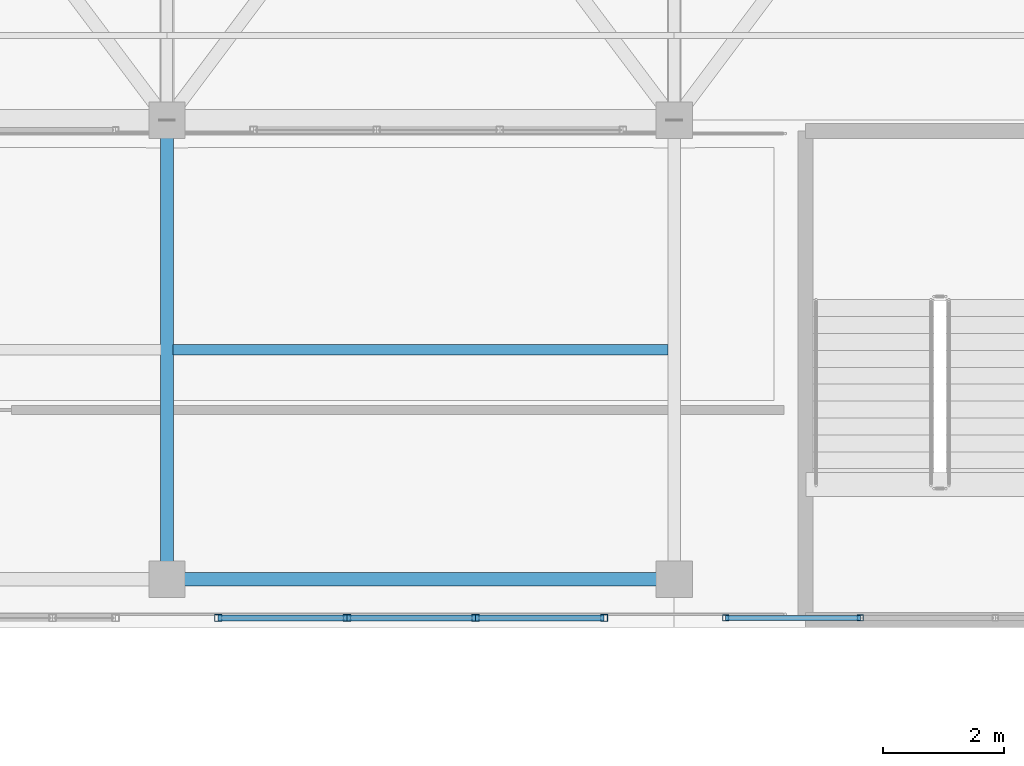
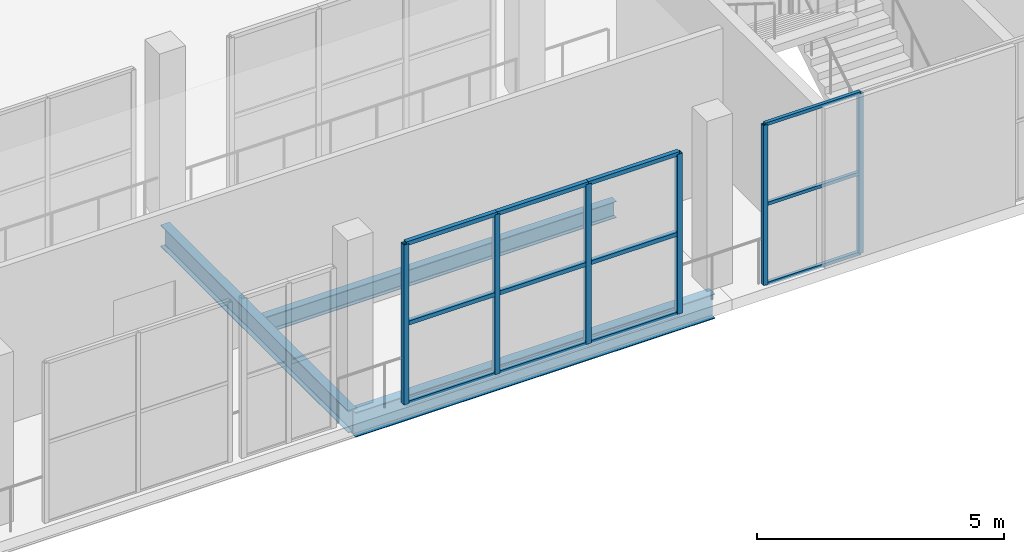
# One storey, part 70 of 217: 18 members, 3 beams, 2 elements without a shape of their own.
"""IFC4 building model written with IfcOpenShell, lengths in metres."""

from ifc_helpers import new_model, si_unit, direction, frame, origin, origin_2d, place, context, subcontext, project, spatial, hollow_rectangle, i_section, extrude, material, material_profile, profile_set, type_object, element, aggregate, save


model = new_model("IFC4")

# Units and contexts
model_context = context("Model", 3, precision=1e-05, world=origin(), true_north=direction((0.0, 1.0)))
body_context = subcontext(model_context, "Body", "Model", "MODEL_VIEW")
ifc_project = project(units=[si_unit("LENGTHUNIT", "METRE"), si_unit("AREAUNIT", "SQUARE_METRE"), si_unit("VOLUMEUNIT", "CUBIC_METRE"), si_unit("PLANEANGLEUNIT", "RADIAN"), si_unit("MASSUNIT", "GRAM", prefix="KILO")], contexts=[model_context])

# Site, building, storey
site_placement = place(None, origin())
site = spatial("IfcSite", under=ifc_project, at=site_placement, CompositionType="ELEMENT")
building_placement = place(site_placement, origin())
building = spatial("IfcBuilding", under=site, at=building_placement, Name="Zuvorla Pavilion Media Centre", CompositionType="ELEMENT")
storey_placement = place(building_placement, frame((0.0, 0.0, 9.60009765625)))
storey = spatial("IfcBuildingStorey", under=building, at=storey_placement, Name="L02", CompositionType="ELEMENT", Elevation=9.60009765625)

# Beams
ifc_material_1 = material(Name="Steel S355", Category="steel")
ifc_material_profile_1 = material_profile(ifc_material_1, i_section(OverallWidth=0.1787109375, OverallDepth=0.409423828125, WebThickness=0.0087890625, FlangeThickness=0.014404296875, FilletRadius=0.01025390625, at=origin_2d()), Name="UB 406x178x67")
ifc_profile_set_1 = profile_set([ifc_material_profile_1], Name="Steel S355")
beam_type_1 = type_object("IfcBeamType", Name="BM-UB406", PredefinedType="JOIST", material=ifc_profile_set_1)
beam_1_placement = place(storey_placement, frame((83.699951171875, 85.800048828125, -0.472900390625), z_axis=(1.0, 0.0, 0.0), x_axis=(0.0, 1.0, 0.0)))
element("IfcBeam", 1, at=beam_1_placement, inside=storey, type_object=beam_type_1, Name="L02 joist J02 1019", PredefinedType="JOIST", context=body_context, shape_type="SweptSolid", body=[
    extrude(i_section(OverallWidth=0.1787109375, OverallDepth=0.409423828125, WebThickness=0.0087890625, FlangeThickness=0.014404296875, FilletRadius=0.01025390625, at=origin_2d()), origin(), (0.0, 0.0, 1.0), 8.199951171875),
])
ifc_material_profile_2 = material_profile(ifc_material_1, i_section(OverallWidth=0.2099609375, OverallDepth=0.53662109375, WebThickness=0.0107421875, FlangeThickness=0.017333984375, FilletRadius=0.0126953125, at=origin_2d()), Name="UB 533x210x101")
ifc_profile_set_2 = profile_set([ifc_material_profile_2], Name="Steel S355")
beam_type_2 = type_object("IfcBeamType", Name="BM-UB533", PredefinedType="BEAM", material=ifc_profile_set_2)
beam_2_placement = place(storey_placement, frame((83.60009765625, 82.0, -0.536376953125), z_axis=(0.0, 1.0, 0.0), x_axis=(-1.0, 0.0, 0.0)))
element("IfcBeam", 2, at=beam_2_placement, inside=storey, type_object=beam_type_2, Name="L02 beam B08 939", PredefinedType="BEAM", context=body_context, shape_type="SweptSolid", body=[
    extrude(i_section(OverallWidth=0.2099609375, OverallDepth=0.53662109375, WebThickness=0.0107421875, FlangeThickness=0.017333984375, FilletRadius=0.0126953125, at=origin_2d()), origin(), (0.0, 0.0, 1.0), 7.60009765625),
])
ifc_material_profile_3 = material_profile(ifc_material_1, i_section(OverallWidth=0.22900390625, OverallDepth=0.6123046875, WebThickness=0.011962890625, FlangeThickness=0.01953125, FilletRadius=0.0126953125, at=origin_2d()), Name="UB 610x229x125")
ifc_profile_set_3 = profile_set([ifc_material_profile_3], Name="Steel S355")
beam_type_3 = type_object("IfcBeamType", Name="BM-UB610", PredefinedType="BEAM", material=ifc_profile_set_3)
beam_3_placement = place(storey_placement, frame((83.60009765625, 82.0, -0.57421875), z_axis=(1.0, 0.0, 0.0), x_axis=(0.0, 1.0, 0.0)))
element("IfcBeam", 3, at=beam_3_placement, inside=storey, type_object=beam_type_3, Name="L02 beam B07 867", PredefinedType="BEAM", context=body_context, shape_type="SweptSolid", body=[
    extrude(i_section(OverallWidth=0.22900390625, OverallDepth=0.6123046875, WebThickness=0.011962890625, FlangeThickness=0.01953125, FilletRadius=0.0126953125, at=origin_2d()), origin(), (0.0, 0.0, 1.0), 8.39990234375),
])

# Curtain wall, members
ifc_material_2 = material(Name="Unitised anodised aluminium and solar glass curtain wall", Category="aluminium")
curtain_wall_type_1 = type_object("IfcCurtainWallType", Name="CW-SYS-49", PredefinedType="USERDEFINED", material=ifc_material_2)
curtain_wall_1_placement = place(storey_placement, origin())
curtain_wall_1 = element("IfcCurtainWall", 4, at=curtain_wall_1_placement, inside=storey, type_object=curtain_wall_type_1, Name="L02 curtain wall CW49 70", ObjectType="CURTAIN WALL", PredefinedType="USERDEFINED")
ifc_material_3 = material(Name="Anodised aluminium 6063-T6", Category="aluminium")
ifc_material_profile_4 = material_profile(ifc_material_3, hollow_rectangle(XDim=0.10009765625, YDim=0.10009765625, WallThickness=0.00439453125, at=origin_2d()), Name="ALU MULL 100x100")
ifc_profile_set_4 = profile_set([ifc_material_profile_4], Name="Anodised aluminium 6063-T6")
member_type_1 = type_object("IfcMemberType", Name="CW-MULL-100", PredefinedType="MULLION", material=ifc_profile_set_4)
member_1_placement = place(storey_placement, frame((95.08349609375, 81.360107421875, 0.0), z_axis=(0.0, 0.0, 1.0), x_axis=(1.0, 0.0, 0.0)))
member_1 = element("IfcMember", 5, at=member_1_placement, type_object=member_type_1, Name="CW49 mullion 3", PredefinedType="MULLION", context=body_context, shape_type="SweptSolid", body=[
    extrude(hollow_rectangle(XDim=0.10009765625, YDim=0.10009765625, WallThickness=0.00439453125, at=origin_2d()), origin(), (0.0, 0.0, 1.0), 3.949951171875),
])
member_2_placement = place(storey_placement, frame((92.850341796875, 81.360107421875, 0.0), z_axis=(0.0, 0.0, 1.0), x_axis=(1.0, 0.0, 0.0)))
member_2 = element("IfcMember", 6, at=member_2_placement, type_object=member_type_1, Name="CW49 mullion 4", PredefinedType="MULLION", context=body_context, shape_type="SweptSolid", body=[
    extrude(hollow_rectangle(XDim=0.10009765625, YDim=0.10009765625, WallThickness=0.00439453125, at=origin_2d()), origin(), (0.0, 0.0, 1.0), 3.949951171875),
])

curtain_wall_type_2 = type_object("IfcCurtainWallType", Name="CW-SYS-46", PredefinedType="USERDEFINED", material=ifc_material_2)
curtain_wall_2_placement = place(storey_placement, origin())
curtain_wall_2 = element("IfcCurtainWall", 7, at=curtain_wall_2_placement, inside=storey, type_object=curtain_wall_type_2, Name="L02 curtain wall CW46 67", ObjectType="CURTAIN WALL", PredefinedType="USERDEFINED")
ifc_material_profile_5 = material_profile(ifc_material_3, hollow_rectangle(XDim=0.1201171875, YDim=0.1201171875, WallThickness=0.0048828125, at=origin_2d()), Name="ALU MULL 120x120")
ifc_profile_set_5 = profile_set([ifc_material_profile_5], Name="Anodised aluminium 6063-T6")
member_type_2 = type_object("IfcMemberType", Name="CW-MULL-120", PredefinedType="MULLION", material=ifc_profile_set_5)
member_3_placement = place(storey_placement, frame((90.840087890625, 81.360107421875, 0.0), z_axis=(0.0, 0.0, 1.0), x_axis=(1.0, 0.0, 0.0)))
member_3 = element("IfcMember", 8, at=member_3_placement, type_object=member_type_2, Name="CW46 mullion 1", PredefinedType="MULLION", context=body_context, shape_type="SweptSolid", body=[
    extrude(hollow_rectangle(XDim=0.1201171875, YDim=0.1201171875, WallThickness=0.0048828125, at=origin_2d()), origin(), (0.0, 0.0, 1.0), 3.949951171875),
])
member_4_placement = place(storey_placement, frame((88.710205078125, 81.360107421875, 0.0), z_axis=(0.0, 0.0, 1.0), x_axis=(1.0, 0.0, 0.0)))
member_4 = element("IfcMember", 9, at=member_4_placement, type_object=member_type_2, Name="CW46 mullion 2", PredefinedType="MULLION", context=body_context, shape_type="SweptSolid", body=[
    extrude(hollow_rectangle(XDim=0.1201171875, YDim=0.1201171875, WallThickness=0.0048828125, at=origin_2d()), origin(), (0.0, 0.0, 1.0), 3.949951171875),
])
member_5_placement = place(storey_placement, frame((86.580078125, 81.360107421875, 0.0), z_axis=(0.0, 0.0, 1.0), x_axis=(1.0, 0.0, 0.0)))
member_5 = element("IfcMember", 10, at=member_5_placement, type_object=member_type_2, Name="CW46 mullion 3", PredefinedType="MULLION", context=body_context, shape_type="SweptSolid", body=[
    extrude(hollow_rectangle(XDim=0.1201171875, YDim=0.1201171875, WallThickness=0.0048828125, at=origin_2d()), origin(), (0.0, 0.0, 1.0), 3.949951171875),
])
member_6_placement = place(storey_placement, frame((84.4501953125, 81.360107421875, 0.0), z_axis=(0.0, 0.0, 1.0), x_axis=(1.0, 0.0, 0.0)))
member_6 = element("IfcMember", 11, at=member_6_placement, type_object=member_type_2, Name="CW46 mullion 4", PredefinedType="MULLION", context=body_context, shape_type="SweptSolid", body=[
    extrude(hollow_rectangle(XDim=0.1201171875, YDim=0.1201171875, WallThickness=0.0048828125, at=origin_2d()), origin(), (0.0, 0.0, 1.0), 3.949951171875),
])
ifc_material_profile_6 = material_profile(ifc_material_3, hollow_rectangle(XDim=0.10009765625, YDim=0.10009765625, WallThickness=0.00439453125, at=origin_2d()), Name="ALU TRAN 100x100")
ifc_profile_set_6 = profile_set([ifc_material_profile_6], Name="Anodised aluminium 6063-T6")
member_type_3 = type_object("IfcMemberType", Name="CW-TRAN-100", PredefinedType="USERDEFINED", material=ifc_profile_set_6)
member_7_placement = place(storey_placement, frame((90.840087890625, 81.360107421875, 0.0), z_axis=(-1.0, 0.0, 0.0), x_axis=(0.0, -1.0, 0.0)))
member_7 = element("IfcMember", 12, at=member_7_placement, type_object=member_type_3, Name="CW46 transom 1.1", ObjectType="TRANSOM", PredefinedType="USERDEFINED", context=body_context, shape_type="SweptSolid", body=[
    extrude(hollow_rectangle(XDim=0.10009765625, YDim=0.10009765625, WallThickness=0.00439453125, at=origin_2d()), origin(), (0.0, 0.0, 1.0), 2.1298828125),
])
member_8_placement = place(storey_placement, frame((90.840087890625, 81.360107421875, 1.974853515625), z_axis=(-1.0, 0.0, 0.0), x_axis=(0.0, -1.0, 0.0)))
member_8 = element("IfcMember", 13, at=member_8_placement, type_object=member_type_3, Name="CW46 transom 1.2", ObjectType="TRANSOM", PredefinedType="USERDEFINED", context=body_context, shape_type="SweptSolid", body=[
    extrude(hollow_rectangle(XDim=0.10009765625, YDim=0.10009765625, WallThickness=0.00439453125, at=origin_2d()), origin(), (0.0, 0.0, 1.0), 2.1298828125),
])
member_9_placement = place(storey_placement, frame((90.840087890625, 81.360107421875, 3.949951171875), z_axis=(-1.0, 0.0, 0.0), x_axis=(0.0, -1.0, 0.0)))
member_9 = element("IfcMember", 14, at=member_9_placement, type_object=member_type_3, Name="CW46 transom 1.3", ObjectType="TRANSOM", PredefinedType="USERDEFINED", context=body_context, shape_type="SweptSolid", body=[
    extrude(hollow_rectangle(XDim=0.10009765625, YDim=0.10009765625, WallThickness=0.00439453125, at=origin_2d()), origin(), (0.0, 0.0, 1.0), 2.1298828125),
])
member_10_placement = place(storey_placement, frame((88.710205078125, 81.360107421875, 0.0), z_axis=(-1.0, 0.0, 0.0), x_axis=(0.0, -1.0, 0.0)))
member_10 = element("IfcMember", 15, at=member_10_placement, type_object=member_type_3, Name="CW46 transom 2.1", ObjectType="TRANSOM", PredefinedType="USERDEFINED", context=body_context, shape_type="SweptSolid", body=[
    extrude(hollow_rectangle(XDim=0.10009765625, YDim=0.10009765625, WallThickness=0.00439453125, at=origin_2d()), origin(), (0.0, 0.0, 1.0), 2.130126953125),
])
member_11_placement = place(storey_placement, frame((88.710205078125, 81.360107421875, 1.974853515625), z_axis=(-1.0, 0.0, 0.0), x_axis=(0.0, -1.0, 0.0)))
member_11 = element("IfcMember", 16, at=member_11_placement, type_object=member_type_3, Name="CW46 transom 2.2", ObjectType="TRANSOM", PredefinedType="USERDEFINED", context=body_context, shape_type="SweptSolid", body=[
    extrude(hollow_rectangle(XDim=0.10009765625, YDim=0.10009765625, WallThickness=0.00439453125, at=origin_2d()), origin(), (0.0, 0.0, 1.0), 2.130126953125),
])
member_12_placement = place(storey_placement, frame((88.710205078125, 81.360107421875, 3.949951171875), z_axis=(-1.0, 0.0, 0.0), x_axis=(0.0, -1.0, 0.0)))
member_12 = element("IfcMember", 17, at=member_12_placement, type_object=member_type_3, Name="CW46 transom 2.3", ObjectType="TRANSOM", PredefinedType="USERDEFINED", context=body_context, shape_type="SweptSolid", body=[
    extrude(hollow_rectangle(XDim=0.10009765625, YDim=0.10009765625, WallThickness=0.00439453125, at=origin_2d()), origin(), (0.0, 0.0, 1.0), 2.130126953125),
])
member_13_placement = place(storey_placement, frame((86.580078125, 81.360107421875, 0.0), z_axis=(-1.0, 0.0, 0.0), x_axis=(0.0, -1.0, 0.0)))
member_13 = element("IfcMember", 18, at=member_13_placement, type_object=member_type_3, Name="CW46 transom 3.1", ObjectType="TRANSOM", PredefinedType="USERDEFINED", context=body_context, shape_type="SweptSolid", body=[
    extrude(hollow_rectangle(XDim=0.10009765625, YDim=0.10009765625, WallThickness=0.00439453125, at=origin_2d()), origin(), (0.0, 0.0, 1.0), 2.1298828125),
])
member_14_placement = place(storey_placement, frame((86.580078125, 81.360107421875, 1.974853515625), z_axis=(-1.0, 0.0, 0.0), x_axis=(0.0, -1.0, 0.0)))
member_14 = element("IfcMember", 19, at=member_14_placement, type_object=member_type_3, Name="CW46 transom 3.2", ObjectType="TRANSOM", PredefinedType="USERDEFINED", context=body_context, shape_type="SweptSolid", body=[
    extrude(hollow_rectangle(XDim=0.10009765625, YDim=0.10009765625, WallThickness=0.00439453125, at=origin_2d()), origin(), (0.0, 0.0, 1.0), 2.1298828125),
])
member_15_placement = place(storey_placement, frame((86.580078125, 81.360107421875, 3.949951171875), z_axis=(-1.0, 0.0, 0.0), x_axis=(0.0, -1.0, 0.0)))
member_15 = element("IfcMember", 20, at=member_15_placement, type_object=member_type_3, Name="CW46 transom 3.3", ObjectType="TRANSOM", PredefinedType="USERDEFINED", context=body_context, shape_type="SweptSolid", body=[
    extrude(hollow_rectangle(XDim=0.10009765625, YDim=0.10009765625, WallThickness=0.00439453125, at=origin_2d()), origin(), (0.0, 0.0, 1.0), 2.1298828125),
])
aggregate(curtain_wall_2, [member_3, member_4, member_5, member_6, member_7, member_8, member_9, member_10, member_11, member_12, member_13, member_14, member_15])

# Member
ifc_material_profile_7 = material_profile(ifc_material_3, hollow_rectangle(XDim=0.080078125, YDim=0.080078125, WallThickness=0.00390625, at=origin_2d()), Name="ALU TRAN 80x80")
ifc_profile_set_7 = profile_set([ifc_material_profile_7], Name="Anodised aluminium 6063-T6")
member_type_4 = type_object("IfcMemberType", Name="CW-TRAN-80", PredefinedType="USERDEFINED", material=ifc_profile_set_7)
member_16_placement = place(storey_placement, frame((95.08349609375, 81.360107421875, 0.0), z_axis=(-1.0, 0.0, 0.0), x_axis=(0.0, -1.0, 0.0)))
member_16 = element("IfcMember", 21, at=member_16_placement, type_object=member_type_4, Name="CW49 transom 3.1", ObjectType="TRANSOM", PredefinedType="USERDEFINED", context=body_context, shape_type="SweptSolid", body=[
    extrude(hollow_rectangle(XDim=0.080078125, YDim=0.080078125, WallThickness=0.00390625, at=origin_2d()), origin(), (0.0, 0.0, 1.0), 2.233154296875),
])

member_17_placement = place(storey_placement, frame((95.08349609375, 81.360107421875, 1.974853515625), z_axis=(-1.0, 0.0, 0.0), x_axis=(0.0, -1.0, 0.0)))
member_17 = element("IfcMember", 22, at=member_17_placement, type_object=member_type_4, Name="CW49 transom 3.2", ObjectType="TRANSOM", PredefinedType="USERDEFINED", context=body_context, shape_type="SweptSolid", body=[
    extrude(hollow_rectangle(XDim=0.080078125, YDim=0.080078125, WallThickness=0.00390625, at=origin_2d()), origin(), (0.0, 0.0, 1.0), 2.233154296875),
])

member_18_placement = place(storey_placement, frame((95.08349609375, 81.360107421875, 3.949951171875), z_axis=(-1.0, 0.0, 0.0), x_axis=(0.0, -1.0, 0.0)))
member_18 = element("IfcMember", 23, at=member_18_placement, type_object=member_type_4, Name="CW49 transom 3.3", ObjectType="TRANSOM", PredefinedType="USERDEFINED", context=body_context, shape_type="SweptSolid", body=[
    extrude(hollow_rectangle(XDim=0.080078125, YDim=0.080078125, WallThickness=0.00390625, at=origin_2d()), origin(), (0.0, 0.0, 1.0), 2.233154296875),
])

aggregate(curtain_wall_1, [member_1, member_2, member_16, member_17, member_18])

save(model, "model.ifc")
